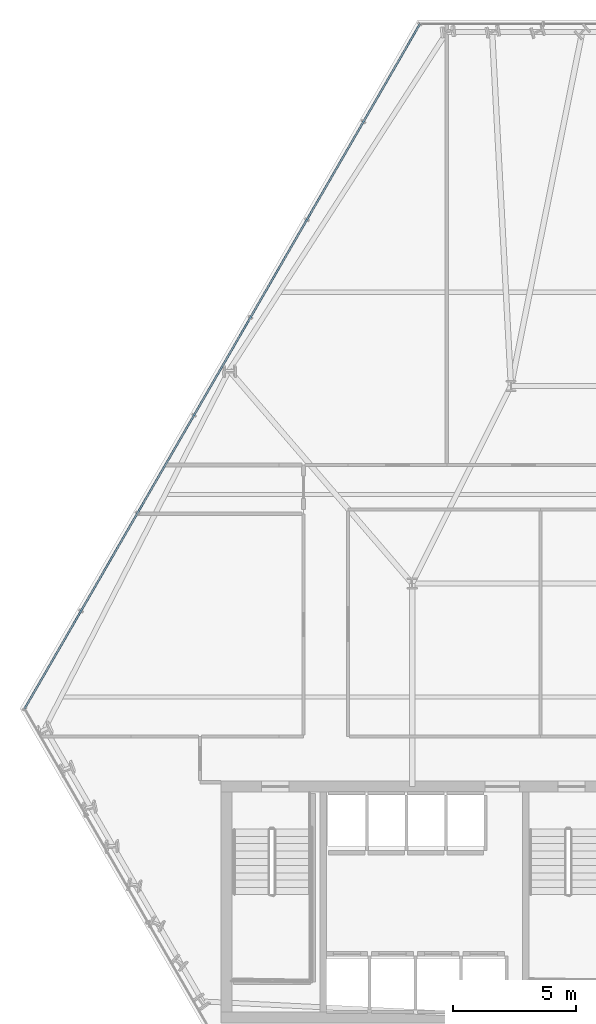
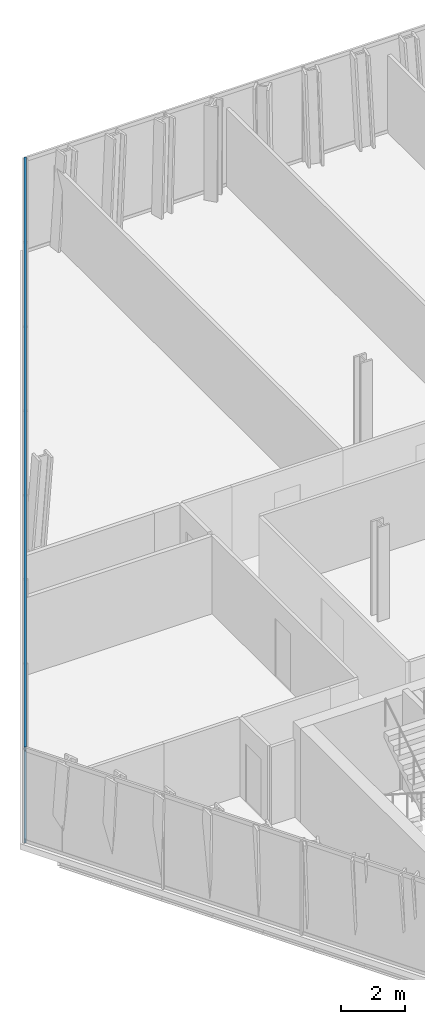
# One storey, part 13 of 32: 2 members, 1 element without a shape of its own.
"""IFC4 building model written with IfcOpenShell, lengths in metres."""

from ifc_helpers import new_model, si_unit, direction, frame, origin, origin_2d, place, context, subcontext, project, spatial, hollow_rectangle, extrude, material, layer, layer_set, material_profile, profile_set, type_object, element, aggregate, save


model = new_model("IFC4")

# Units and contexts
model_context = context("Model", 3, precision=1e-05, world=origin(), true_north=direction((0.0, 1.0)))
body_context = subcontext(model_context, "Body", "Model", "MODEL_VIEW")
ifc_project = project(units=[si_unit("LENGTHUNIT", "METRE"), si_unit("AREAUNIT", "SQUARE_METRE"), si_unit("VOLUMEUNIT", "CUBIC_METRE"), si_unit("PLANEANGLEUNIT", "RADIAN"), si_unit("MASSUNIT", "GRAM", prefix="KILO")], contexts=[model_context])

# Site, building, storey
site_placement = place(None, origin())
site = spatial("IfcSite", under=ifc_project, at=site_placement, CompositionType="ELEMENT")
building_placement = place(site_placement, origin())
building = spatial("IfcBuilding", under=site, at=building_placement, Name="Ndaravel Arena Tower", CompositionType="ELEMENT")
storey_placement = place(building_placement, frame((0.0, 0.0, 77.800048828125)))
storey = spatial("IfcBuildingStorey", under=building, at=storey_placement, Name="L17", CompositionType="ELEMENT", Elevation=77.800048828125)

# Curtain wall, members
ifc_material_1 = material(Name="Aluminium", Category="aluminium")
ifc_layer = layer(ifc_material_1, 0.179931640625)
ifc_layer_set = layer_set([ifc_layer], Name="Aluminium")
curtain_wall_type = type_object("IfcCurtainWallType", Name="CW-SYS-03", PredefinedType="NOTDEFINED", material=ifc_layer_set)
curtain_wall_placement = place(storey_placement, origin())
curtain_wall = element("IfcCurtainWall", 1, at=curtain_wall_placement, inside=storey, type_object=curtain_wall_type, Name="L17 Faceted Crystal Curtain Wall CW-L17-E05", PredefinedType="NOTDEFINED")
ifc_material_2 = material(Name="Aluminium", Category="aluminium")
ifc_material_profile = material_profile(ifc_material_2, hollow_rectangle(XDim=0.074951171875, YDim=0.14990234375, WallThickness=0.00390625, at=origin_2d()), Name="CW TRANSOM 75x150x4")
ifc_profile_set = profile_set([ifc_material_profile], Name="Aluminium")
member_type = type_object("IfcMemberType", Name="MEM-CW-TRN150", PredefinedType="USERDEFINED", material=ifc_profile_set)
member_1_placement = place(storey_placement, frame((34.513427734375, 45.865478515625, 0.0400390625), z_axis=(-0.500004412291, -0.866022856332, 0.0), x_axis=(0.866022856332, -0.500004412291, 0.0)))
member_1 = element("IfcMember", 2, at=member_1_placement, type_object=member_type, Name="CW-L17-E05 Transom 01", ObjectType="TRANSOM", PredefinedType="USERDEFINED", context=body_context, shape_type="SweptSolid", body=[
    extrude(hollow_rectangle(XDim=0.074951171875, YDim=0.14990234375, WallThickness=0.00390625, at=origin_2d()), origin(), (0.0, 0.0, 1.0), 32.029541015625),
])
member_2_placement = place(storey_placement, frame((34.513427734375, 45.865478515625, 3.5400390625), z_axis=(-0.500004412291, -0.866022856332, 0.0), x_axis=(0.866022856332, -0.500004412291, 0.0)))
member_2 = element("IfcMember", 3, at=member_2_placement, type_object=member_type, Name="CW-L17-E05 Transom 02", ObjectType="TRANSOM", PredefinedType="USERDEFINED", context=body_context, shape_type="SweptSolid", body=[
    extrude(hollow_rectangle(XDim=0.074951171875, YDim=0.14990234375, WallThickness=0.00390625, at=origin_2d()), origin(), (0.0, 0.0, 1.0), 32.029541015625),
])
aggregate(curtain_wall, [member_1, member_2])

save(model, "model.ifc")
